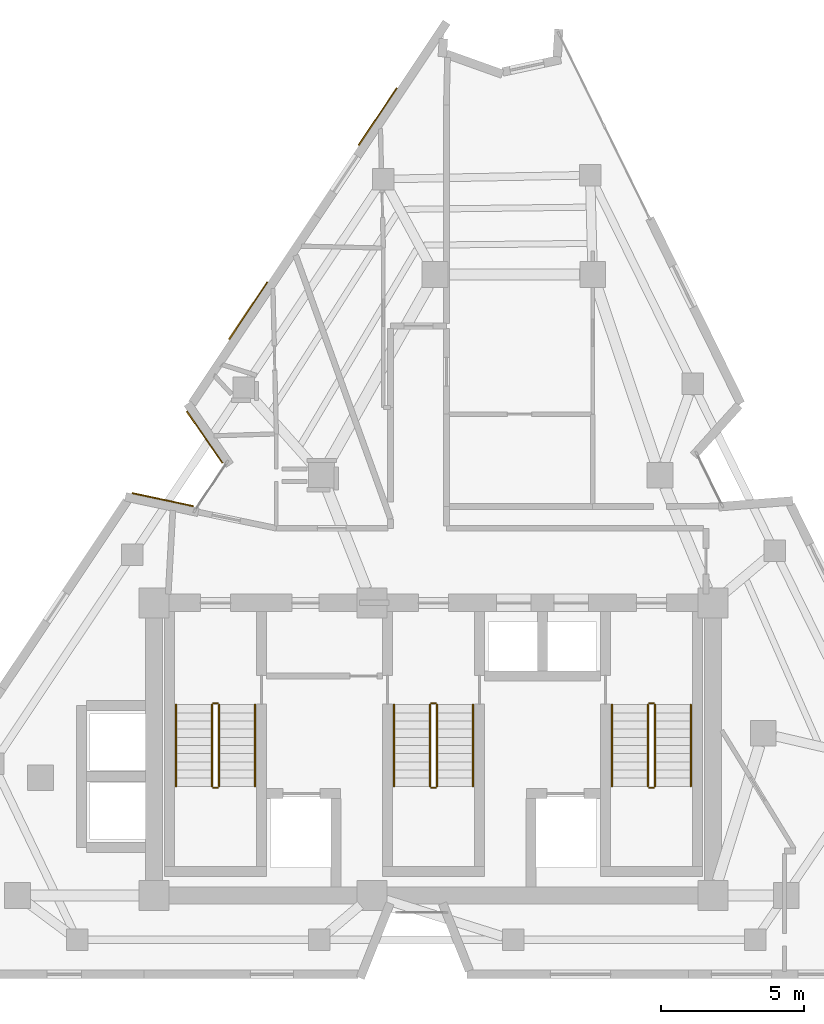
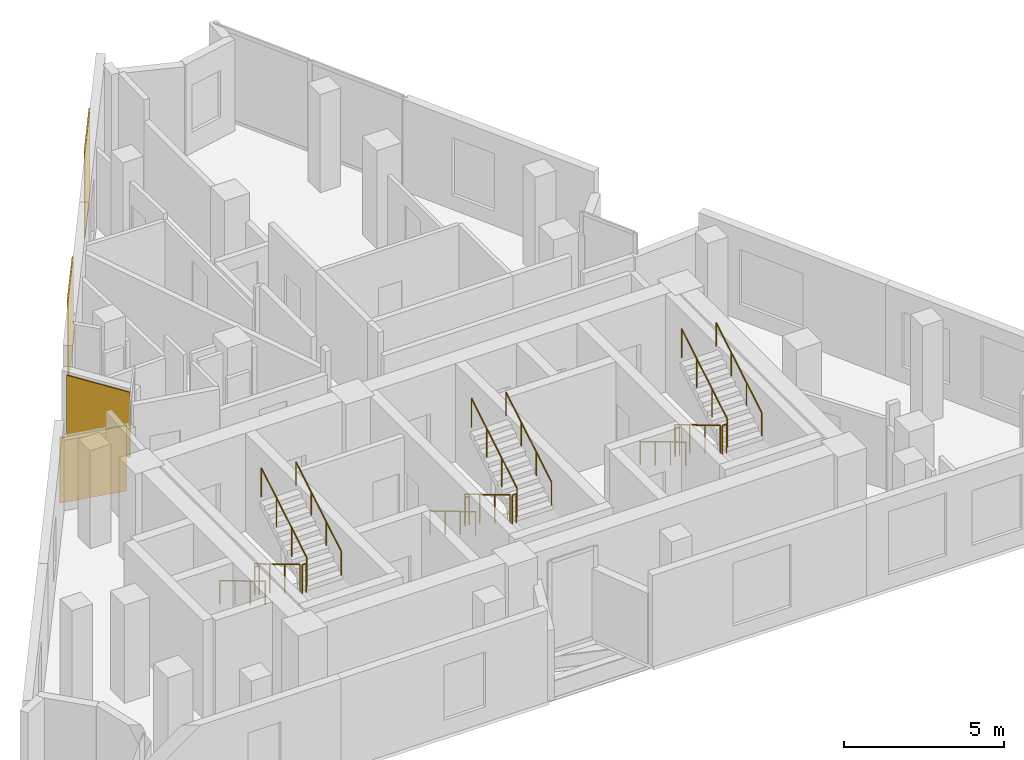
# One storey, part 10 of 10: 18 railings, 4 coverings.
"""IFC4 building model written with IfcOpenShell, lengths in metres."""

import ifcopenshell
import ifcopenshell.guid

model = None  # the IFC model being written
_history = None  # IfcOwnerHistory: only IFC2X3 demands one
_inside = {}  # id of a spatial element -> (the spatial element, [elements in it])
_under = {}  # id of a project, library or spatial element -> (it, [spatial elements below it])
_declared = {}  # id of a project -> (the project, [libraries it declares])
_typed = {}  # id of a type object -> (the type object, [elements of that type])
_made_of = {}  # id of a material, layer set ... -> (it, [elements and type objects made of it])


def new_model(schema):
    """Start an empty IFC model of exactly this schema.

    Asked for "IFC4X3", IfcOpenShell would pick the latest addendum, in which some entities
    have other attributes; the version numbers below select the first issue.
    IFC2X3 requires an IfcOwnerHistory on every rooted entity: one is made here for all.
    """
    global model, _history
    if schema == "IFC4X3":
        model = ifcopenshell.file(schema_version=(4, 3, 0, 0))
    else:
        model = ifcopenshell.file(schema=schema)
    _inside.clear()
    _under.clear()
    _declared.clear()
    _typed.clear()
    _made_of.clear()
    _history = None
    if model.schema == "IFC2X3":
        org = make("IfcOrganization", Name="unknown")
        user = make(
            "IfcPersonAndOrganization",
            ThePerson=make("IfcPerson", FamilyName="unknown"),
            TheOrganization=org,
        )
        app = make(
            "IfcApplication",
            ApplicationDeveloper=org,
            Version="unknown",
            ApplicationFullName="unknown",
            ApplicationIdentifier="unknown",
        )
        _history = make(
            "IfcOwnerHistory",
            OwningUser=user,
            OwningApplication=app,
            ChangeAction="ADDED",
            CreationDate=0,
        )
    return model


def make(cls, **values):
    """One entity of the class cls with the attributes given. An attribute that is None is left unset."""
    return model.create_entity(
        cls, **{name: value for name, value in values.items() if value is not None}
    )


def rooted(cls, **values):
    """An entity with a GlobalId (a new one), such as an element, a storey or a relation."""
    return make(cls, GlobalId=ifcopenshell.guid.new(), OwnerHistory=_history, **values)


def si_unit(unit_type, name, prefix=None):
    """IfcSIUnit, for example si_unit("LENGTHUNIT", "METRE", prefix="MILLI")."""
    return make("IfcSIUnit", UnitType=unit_type, Prefix=prefix, Name=name)


def assignment(units):
    """IfcUnitAssignment: the units of a project."""
    return None if units is None else make("IfcUnitAssignment", Units=units)


def point(xyz):
    """IfcCartesianPoint."""
    return None if xyz is None else make("IfcCartesianPoint", Coordinates=xyz)


def direction(xyz):
    """IfcDirection."""
    return None if xyz is None else make("IfcDirection", DirectionRatios=xyz)


def frame(location, z_axis=None, x_axis=None):
    """IfcAxis2Placement3D, a coordinate frame: its origin and axes. An axis left out is left unset."""
    return make(
        "IfcAxis2Placement3D",
        Location=point(location),
        Axis=direction(z_axis),
        RefDirection=direction(x_axis),
    )


def frame_2d(location, x_axis=None):
    """IfcAxis2Placement2D, a coordinate frame in the plane: its origin and x axis."""
    return make(
        "IfcAxis2Placement2D", Location=point(location), RefDirection=direction(x_axis)
    )


def origin():
    """The frame at (0, 0, 0) with its axes left unset."""
    return frame((0.0, 0.0, 0.0))


def origin_2d():
    """The frame at (0, 0) in the plane with its x axis left unset."""
    return frame_2d((0.0, 0.0))


def place(relative_to, where):
    """IfcLocalPlacement: puts the frame where relative to a parent placement (None: the world)."""
    return make(
        "IfcLocalPlacement", PlacementRelTo=relative_to, RelativePlacement=where
    )


def context(
    kind, dimensions, precision=None, world=None, true_north=None, identifier=None
):
    """IfcGeometricRepresentationContext, for example the 3D "Model" context."""
    return make(
        "IfcGeometricRepresentationContext",
        ContextIdentifier=identifier,
        ContextType=kind,
        CoordinateSpaceDimension=dimensions,
        Precision=precision,
        WorldCoordinateSystem=world,
        TrueNorth=true_north,
    )


def subcontext(parent, identifier, kind, view, scale=None):
    """IfcGeometricRepresentationSubContext, for example "Body" below "Model"."""
    return make(
        "IfcGeometricRepresentationSubContext",
        ContextIdentifier=identifier,
        ContextType=kind,
        ParentContext=parent,
        TargetScale=scale,
        TargetView=view,
    )


def project(units=None, contexts=None):
    """IfcProject with its units and contexts."""
    return rooted(
        "IfcProject",
        Name="project",
        RepresentationContexts=contexts,
        UnitsInContext=assignment(units),
    )


def spatial(cls, under=None, at=None, **own):
    """A site, building, storey or space (cls), placed at a placement, below another one or the project."""
    s = rooted(cls, ObjectPlacement=at, **own)
    if under is not None:
        _under.setdefault(under.id(), (under, []))[1].append(s)
    return s


def profile(cls, at=None, kind="AREA", **sizes):
    """A parametric profile (cls). Its sizes go by their IFC names, for example OverallWidth=200.0."""
    return make(cls, ProfileType=kind, Position=at, **sizes)


def rectangle(**sizes):
    """IfcRectangleProfileDef."""
    return profile("IfcRectangleProfileDef", **sizes)


def circle(**sizes):
    """IfcCircleProfileDef."""
    return profile("IfcCircleProfileDef", **sizes)


def extrude(swept, where, along, depth):
    """IfcExtrudedAreaSolid: the profile swept, set in the frame where, extruded along a direction by depth."""
    return make(
        "IfcExtrudedAreaSolid",
        SweptArea=swept,
        Position=where,
        ExtrudedDirection=direction(along),
        Depth=depth,
    )


def shape(context_of_items, identifier, shape_type, items):
    """IfcShapeRepresentation: the items that make up one representation, for example the "Body"."""
    return make(
        "IfcShapeRepresentation",
        ContextOfItems=context_of_items,
        RepresentationIdentifier=identifier,
        RepresentationType=shape_type,
        Items=items,
    )


def material(Name=None, Category=None):
    """IfcMaterial."""
    return make("IfcMaterial", Name=Name, Category=Category)


def layer(
    of_material, thickness, ventilated=None, Name=None, Category=None, Priority=None
):
    """IfcMaterialLayer: one layer of a wall or slab, of a material (None: an air gap)."""
    return make(
        "IfcMaterialLayer",
        Material=of_material,
        LayerThickness=thickness,
        IsVentilated=ventilated,
        Name=Name,
        Category=Category,
        Priority=Priority,
    )


def layer_set(layers, Name=None):
    """IfcMaterialLayerSet."""
    return make("IfcMaterialLayerSet", MaterialLayers=layers, LayerSetName=Name)


def made_of(thing, what):
    """Note that an element or type object is made of a material, layer set ...; save() writes the relation."""
    if what is not None:
        _made_of.setdefault(what.id(), (what, []))[1].append(thing)
    return thing


def type_object(cls, material=None, **own):
    """A type object (cls), such as IfcWallType, which elements share."""
    return made_of(rooted(cls, **own), material)


def element(
    cls,
    number,
    at=None,
    inside=None,
    cuts=None,
    type_object=None,
    material=None,
    context=None,
    identifier="Body",
    shape_type=None,
    held_by="IfcProductDefinitionShape",
    body=None,
    shapes=None,
    **own,
):
    """One element of the class cls, such as IfcWall. Its Tag is "e" and its number.

    at: its placement. inside: the storey or other place that contains it. cuts: it is an
    opening in that element (IfcRelVoidsElement). A single representation is given by context,
    identifier, shape_type and body (its items); several are given by shapes. held_by: the class
    of the entity that holds the representations. save() writes the other relations.
    """
    e = rooted(cls, Tag="e%d" % number, ObjectPlacement=at, **own)
    if body is not None:
        shapes = [shape(context, identifier, shape_type, body)]
    if shapes is not None:
        e.Representation = make(held_by, Representations=shapes)
    if inside is not None:
        _inside.setdefault(inside.id(), (inside, []))[1].append(e)
    if cuts is not None:
        rooted(
            "IfcRelVoidsElement", RelatingBuildingElement=cuts, RelatedOpeningElement=e
        )
    if type_object is not None:
        _typed.setdefault(type_object.id(), (type_object, []))[1].append(e)
    return made_of(e, material)


def aggregate(whole, parts):
    """IfcRelAggregates: a whole, such as a stair, and the parts it consists of."""
    return rooted("IfcRelAggregates", RelatingObject=whole, RelatedObjects=parts)


def save(model, path):
    """Write the relations noted so far, then the file.

    IfcRelAggregates (storeys below a building ...), IfcRelContainedInSpatialStructure (elements
    in a storey), IfcRelDefinesByType, IfcRelAssociatesMaterial and IfcRelDeclares: one each for
    every whole, place, type object, material and project.
    """
    for whole, parts in _under.values():
        aggregate(whole, parts)
    for where, things in _inside.values():
        rooted(
            "IfcRelContainedInSpatialStructure",
            RelatedElements=things,
            RelatingStructure=where,
        )
    for kind, things in _typed.values():
        rooted("IfcRelDefinesByType", RelatedObjects=things, RelatingType=kind)
    for what, things in _made_of.values():
        rooted("IfcRelAssociatesMaterial", RelatedObjects=things, RelatingMaterial=what)
    for by, libraries in _declared.values():
        rooted("IfcRelDeclares", RelatingContext=by, RelatedDefinitions=libraries)
    model.write(path)


model = new_model("IFC4")

# Units and contexts
model_context = context("Model", 3, precision=1e-05, world=origin(), true_north=direction((0.0, 1.0)))
body_context = subcontext(model_context, "Body", "Model", "MODEL_VIEW")
ifc_project = project(units=[si_unit("LENGTHUNIT", "METRE"), si_unit("AREAUNIT", "SQUARE_METRE"), si_unit("VOLUMEUNIT", "CUBIC_METRE"), si_unit("PLANEANGLEUNIT", "RADIAN"), si_unit("MASSUNIT", "GRAM", prefix="KILO")], contexts=[model_context])

# Site, building, storey
site_placement = place(None, origin())
site = spatial("IfcSite", under=ifc_project, at=site_placement, CompositionType="ELEMENT")
building_placement = place(site_placement, origin())
building = spatial("IfcBuilding", under=site, at=building_placement, Name="Almagre Mirador Tower", CompositionType="ELEMENT")
storey_placement = place(building_placement, frame((0.0, 0.0, 278.25)))
storey = spatial("IfcBuildingStorey", under=building, at=storey_placement, Name="L72", CompositionType="ELEMENT", Elevation=278.25)

# Coverings
ifc_material_1 = material(Name="Almagre terracotta architectural cladding", Category="masonry")
ifc_layer = layer(ifc_material_1, 0.044921875)
ifc_layer_set = layer_set([ifc_layer], Name="Almagre terracotta architectural cladding")
covering_type = type_object("IfcCoveringType", Name="COV-CLAD-ALMAGRE", PredefinedType="CLADDING", material=ifc_layer_set)
for number, where, z_axis, x_axis, name in (
    (1, (27.862548828125, 18.34716796875, 0.099853515625), (0.0, 0.0, 1.0), (0.977976720708, -0.208713999897, 0.0), "L72 almagre terracotta pier cladding"),
    (2, (29.319580078125, 20.529541015625, 0.099853515625), (0.0, 0.0, 1.0), (-0.567513271194, 0.823364249296, 0.0), "L72 almagre terracotta pier cladding"),
):
    element("IfcCovering", number, at=place(storey_placement, frame(where, z_axis=z_axis, x_axis=x_axis)), inside=storey, type_object=covering_type, Name=name, PredefinedType="CLADDING", context=body_context, shape_type="SweptSolid", body=[
        extrude(rectangle(XDim=2.194091796875, YDim=0.044921875, at=origin_2d()), origin(), (0.0, 0.0, 1.0), 2.49609375),
    ])
for number, where, z_axis, x_axis, name in (
    (3, (30.84130859375, 24.94091796875, 0.10009765625), (0.0, 0.0, 1.0), (0.555221899113, 0.831702256066, 0.0), "L72 almagre terracotta pier cladding"),
    (4, (35.35595703125, 31.70361328125, 0.10009765625), (0.0, 0.0, 1.0), (0.555221899113, 0.831702256066, 0.0), "L72 almagre terracotta pier cladding"),
):
    element("IfcCovering", number, at=place(storey_placement, frame(where, z_axis=z_axis, x_axis=x_axis)), inside=storey, type_object=covering_type, Name=name, PredefinedType="CLADDING", context=body_context, shape_type="SweptSolid", body=[
        extrude(rectangle(XDim=2.39990234375, YDim=0.044921875, at=origin_2d()), origin(), (0.0, 0.0, 1.0), 3.300048828125),
    ])

# Railings
ifc_material_2 = material(Name="Painted galvanized steel", Category="steel")
railing_type_1 = type_object("IfcRailingType", Name="RLG-GRD-1100", PredefinedType="GUARDRAIL", material=ifc_material_2)
railing_1_placement = place(storey_placement, frame((29.574951171875, 11.199951171875, 0.17041015625)))
element("IfcRailing", 5, at=railing_1_placement, inside=storey, type_object=railing_type_1, Name="L72 ST-1 stair guard 1", PredefinedType="GUARDRAIL", context=body_context, shape_type="SweptSolid", body=[
    extrude(circle(Radius=0.02392578125, at=origin_2d()), frame((0.0, 0.0, 1.09619140625), z_axis=(0.0, -0.858199205511, 0.513316786848), x_axis=(1.0, 0.0, 0.0)), (0.0, 0.0, 1.0), 3.32080078125),
    extrude(circle(Radius=0.02099609375, at=origin_2d()), origin(), (0.0, 0.0, 1.0), 1.072021484375),
    extrude(circle(Radius=0.02099609375, at=origin_2d()), frame((0.0, -0.949951171875, 0.568115234375)), (0.0, 0.0, 1.0), 1.072021484375),
    extrude(circle(Radius=0.02099609375, at=origin_2d()), frame((0.0, -1.89990234375, 1.136474609375)), (0.0, 0.0, 1.0), 1.072021484375),
    extrude(circle(Radius=0.02099609375, at=origin_2d()), frame((0.0, -2.849853515625, 1.70458984375)), (0.0, 0.0, 1.0), 1.072021484375),
])
railing_2_placement = place(storey_placement, frame((29.625, 8.300048828125, 1.875)))
element("IfcRailing", 6, at=railing_2_placement, inside=storey, type_object=railing_type_1, Name="L72 ST-1 stair guard 2", PredefinedType="GUARDRAIL", context=body_context, shape_type="SweptSolid", body=[
    extrude(circle(Radius=0.02392578125, at=origin_2d()), frame((0.0, 0.0, 1.09619140625), z_axis=(1.0, 0.0, 0.0), x_axis=(0.0, 1.0, 0.0)), (0.0, 0.0, 1.0), 0.14990234375),
    extrude(circle(Radius=0.02099609375, at=origin_2d()), origin(), (0.0, 0.0, 1.0), 1.072021484375),
    extrude(circle(Radius=0.02099609375, at=origin_2d()), frame((0.14990234375, 0.0, 0.0)), (0.0, 0.0, 1.0), 1.072021484375),
])
railing_3_placement = place(storey_placement, frame((29.824951171875, 8.35009765625, 2.04541015625)))
element("IfcRailing", 7, at=railing_3_placement, inside=storey, type_object=railing_type_1, Name="L72 ST-1 stair guard 3", PredefinedType="GUARDRAIL", context=body_context, shape_type="SweptSolid", body=[
    extrude(circle(Radius=0.02392578125, at=origin_2d()), frame((0.0, 0.0, 1.09619140625), z_axis=(0.0, 0.858199205511, 0.513316786848), x_axis=(-1.0, 0.0, 0.0)), (0.0, 0.0, 1.0), 3.32080078125),
    extrude(circle(Radius=0.02099609375, at=origin_2d()), origin(), (0.0, 0.0, 1.0), 1.072021484375),
    extrude(circle(Radius=0.02099609375, at=origin_2d()), frame((0.0, 0.949951171875, 0.568115234375)), (0.0, 0.0, 1.0), 1.072021484375),
    extrude(circle(Radius=0.02099609375, at=origin_2d()), frame((0.0, 1.89990234375, 1.136474609375)), (0.0, 0.0, 1.0), 1.072021484375),
    extrude(circle(Radius=0.02099609375, at=origin_2d()), frame((0.0, 2.849853515625, 1.70458984375)), (0.0, 0.0, 1.0), 1.072021484375),
])
railing_4_placement = place(storey_placement, frame((29.625, 11.25, 0.0)))
element("IfcRailing", 8, at=railing_4_placement, inside=storey, type_object=railing_type_1, Name="L72 ST-1 stair guard 4", PredefinedType="GUARDRAIL", context=body_context, shape_type="SweptSolid", body=[
    extrude(circle(Radius=0.02392578125, at=origin_2d()), frame((0.0, 0.0, 1.09619140625), z_axis=(1.0, 0.0, 0.0), x_axis=(0.0, 1.0, 0.0)), (0.0, 0.0, 1.0), 0.14990234375),
    extrude(circle(Radius=0.02099609375, at=origin_2d()), origin(), (0.0, 0.0, 1.0), 1.072021484375),
    extrude(circle(Radius=0.02099609375, at=origin_2d()), frame((0.14990234375, 0.0, 0.0)), (0.0, 0.0, 1.0), 1.072021484375),
])
railing_5_placement = place(storey_placement, frame((37.175048828125, 11.199951171875, 0.17041015625)))
element("IfcRailing", 9, at=railing_5_placement, inside=storey, type_object=railing_type_1, Name="L72 ST-2 stair guard 1", PredefinedType="GUARDRAIL", context=body_context, shape_type="SweptSolid", body=[
    extrude(circle(Radius=0.02392578125, at=origin_2d()), frame((0.0, 0.0, 1.09619140625), z_axis=(0.0, -0.858199205511, 0.513316786848), x_axis=(1.0, 0.0, 0.0)), (0.0, 0.0, 1.0), 3.32080078125),
    extrude(circle(Radius=0.02099609375, at=origin_2d()), origin(), (0.0, 0.0, 1.0), 1.072021484375),
    extrude(circle(Radius=0.02099609375, at=origin_2d()), frame((0.0, -0.949951171875, 0.568115234375)), (0.0, 0.0, 1.0), 1.072021484375),
    extrude(circle(Radius=0.02099609375, at=origin_2d()), frame((0.0, -1.89990234375, 1.136474609375)), (0.0, 0.0, 1.0), 1.072021484375),
    extrude(circle(Radius=0.02099609375, at=origin_2d()), frame((0.0, -2.849853515625, 1.70458984375)), (0.0, 0.0, 1.0), 1.072021484375),
])
railing_6_placement = place(storey_placement, frame((37.22509765625, 8.300048828125, 1.875)))
element("IfcRailing", 10, at=railing_6_placement, inside=storey, type_object=railing_type_1, Name="L72 ST-2 stair guard 2", PredefinedType="GUARDRAIL", context=body_context, shape_type="SweptSolid", body=[
    extrude(circle(Radius=0.02392578125, at=origin_2d()), frame((0.0, 0.0, 1.09619140625), z_axis=(1.0, 0.0, 0.0), x_axis=(0.0, 1.0, 0.0)), (0.0, 0.0, 1.0), 0.14990234375),
    extrude(circle(Radius=0.02099609375, at=origin_2d()), origin(), (0.0, 0.0, 1.0), 1.072021484375),
    extrude(circle(Radius=0.02099609375, at=origin_2d()), frame((0.14990234375, 0.0, 0.0)), (0.0, 0.0, 1.0), 1.072021484375),
])
railing_7_placement = place(storey_placement, frame((37.425048828125, 8.35009765625, 2.04541015625)))
element("IfcRailing", 11, at=railing_7_placement, inside=storey, type_object=railing_type_1, Name="L72 ST-2 stair guard 3", PredefinedType="GUARDRAIL", context=body_context, shape_type="SweptSolid", body=[
    extrude(circle(Radius=0.02392578125, at=origin_2d()), frame((0.0, 0.0, 1.09619140625), z_axis=(0.0, 0.858199205511, 0.513316786848), x_axis=(-1.0, 0.0, 0.0)), (0.0, 0.0, 1.0), 3.32080078125),
    extrude(circle(Radius=0.02099609375, at=origin_2d()), origin(), (0.0, 0.0, 1.0), 1.072021484375),
    extrude(circle(Radius=0.02099609375, at=origin_2d()), frame((0.0, 0.949951171875, 0.568115234375)), (0.0, 0.0, 1.0), 1.072021484375),
    extrude(circle(Radius=0.02099609375, at=origin_2d()), frame((0.0, 1.89990234375, 1.136474609375)), (0.0, 0.0, 1.0), 1.072021484375),
    extrude(circle(Radius=0.02099609375, at=origin_2d()), frame((0.0, 2.849853515625, 1.70458984375)), (0.0, 0.0, 1.0), 1.072021484375),
])
railing_8_placement = place(storey_placement, frame((37.22509765625, 11.25, 0.0)))
element("IfcRailing", 12, at=railing_8_placement, inside=storey, type_object=railing_type_1, Name="L72 ST-2 stair guard 4", PredefinedType="GUARDRAIL", context=body_context, shape_type="SweptSolid", body=[
    extrude(circle(Radius=0.02392578125, at=origin_2d()), frame((0.0, 0.0, 1.09619140625), z_axis=(1.0, 0.0, 0.0), x_axis=(0.0, 1.0, 0.0)), (0.0, 0.0, 1.0), 0.14990234375),
    extrude(circle(Radius=0.02099609375, at=origin_2d()), origin(), (0.0, 0.0, 1.0), 1.072021484375),
    extrude(circle(Radius=0.02099609375, at=origin_2d()), frame((0.14990234375, 0.0, 0.0)), (0.0, 0.0, 1.0), 1.072021484375),
])
railing_9_placement = place(storey_placement, frame((44.77490234375, 11.199951171875, 0.17041015625)))
element("IfcRailing", 13, at=railing_9_placement, inside=storey, type_object=railing_type_1, Name="L72 ST-3 stair guard 1", PredefinedType="GUARDRAIL", context=body_context, shape_type="SweptSolid", body=[
    extrude(circle(Radius=0.02392578125, at=origin_2d()), frame((0.0, 0.0, 1.09619140625), z_axis=(0.0, -0.858199205511, 0.513316786848), x_axis=(1.0, 0.0, 0.0)), (0.0, 0.0, 1.0), 3.32080078125),
    extrude(circle(Radius=0.02099609375, at=origin_2d()), origin(), (0.0, 0.0, 1.0), 1.072021484375),
    extrude(circle(Radius=0.02099609375, at=origin_2d()), frame((0.0, -0.949951171875, 0.568115234375)), (0.0, 0.0, 1.0), 1.072021484375),
    extrude(circle(Radius=0.02099609375, at=origin_2d()), frame((0.0, -1.89990234375, 1.136474609375)), (0.0, 0.0, 1.0), 1.072021484375),
    extrude(circle(Radius=0.02099609375, at=origin_2d()), frame((0.0, -2.849853515625, 1.70458984375)), (0.0, 0.0, 1.0), 1.072021484375),
])
railing_10_placement = place(storey_placement, frame((44.824951171875, 8.300048828125, 1.875)))
element("IfcRailing", 14, at=railing_10_placement, inside=storey, type_object=railing_type_1, Name="L72 ST-3 stair guard 2", PredefinedType="GUARDRAIL", context=body_context, shape_type="SweptSolid", body=[
    extrude(circle(Radius=0.02392578125, at=origin_2d()), frame((0.0, 0.0, 1.09619140625), z_axis=(1.0, 0.0, 0.0), x_axis=(0.0, 1.0, 0.0)), (0.0, 0.0, 1.0), 0.150146484375),
    extrude(circle(Radius=0.02099609375, at=origin_2d()), origin(), (0.0, 0.0, 1.0), 1.072021484375),
    extrude(circle(Radius=0.02099609375, at=origin_2d()), frame((0.150146484375, 0.0, 0.0)), (0.0, 0.0, 1.0), 1.072021484375),
])
railing_11_placement = place(storey_placement, frame((45.02490234375, 8.35009765625, 2.04541015625)))
element("IfcRailing", 15, at=railing_11_placement, inside=storey, type_object=railing_type_1, Name="L72 ST-3 stair guard 3", PredefinedType="GUARDRAIL", context=body_context, shape_type="SweptSolid", body=[
    extrude(circle(Radius=0.02392578125, at=origin_2d()), frame((0.0, 0.0, 1.09619140625), z_axis=(0.0, 0.858199205511, 0.513316786848), x_axis=(-1.0, 0.0, 0.0)), (0.0, 0.0, 1.0), 3.32080078125),
    extrude(circle(Radius=0.02099609375, at=origin_2d()), origin(), (0.0, 0.0, 1.0), 1.072021484375),
    extrude(circle(Radius=0.02099609375, at=origin_2d()), frame((0.0, 0.949951171875, 0.568115234375)), (0.0, 0.0, 1.0), 1.072021484375),
    extrude(circle(Radius=0.02099609375, at=origin_2d()), frame((0.0, 1.89990234375, 1.136474609375)), (0.0, 0.0, 1.0), 1.072021484375),
    extrude(circle(Radius=0.02099609375, at=origin_2d()), frame((0.0, 2.849853515625, 1.70458984375)), (0.0, 0.0, 1.0), 1.072021484375),
])
railing_12_placement = place(storey_placement, frame((44.824951171875, 11.25, 0.0)))
element("IfcRailing", 16, at=railing_12_placement, inside=storey, type_object=railing_type_1, Name="L72 ST-3 stair guard 4", PredefinedType="GUARDRAIL", context=body_context, shape_type="SweptSolid", body=[
    extrude(circle(Radius=0.02392578125, at=origin_2d()), frame((0.0, 0.0, 1.09619140625), z_axis=(1.0, 0.0, 0.0), x_axis=(0.0, 1.0, 0.0)), (0.0, 0.0, 1.0), 0.150146484375),
    extrude(circle(Radius=0.02099609375, at=origin_2d()), origin(), (0.0, 0.0, 1.0), 1.072021484375),
    extrude(circle(Radius=0.02099609375, at=origin_2d()), frame((0.150146484375, 0.0, 0.0)), (0.0, 0.0, 1.0), 1.072021484375),
])
ifc_material_3 = material(Name="Brushed stainless steel", Category="steel")
railing_type_2 = type_object("IfcRailingType", Name="RLG-HND-915", PredefinedType="HANDRAIL", material=ifc_material_3)
railing_13_placement = place(storey_placement, frame((28.324951171875, 11.199951171875, 0.17041015625)))
element("IfcRailing", 17, at=railing_13_placement, inside=storey, type_object=railing_type_2, Name="L72 ST-1 stair handrail 1", PredefinedType="HANDRAIL", context=body_context, shape_type="SweptSolid", body=[
    extrude(circle(Radius=0.02392578125, at=origin_2d()), frame((0.0, 0.0, 0.89111328125), z_axis=(0.0, -0.858199205511, 0.513316786848), x_axis=(1.0, 0.0, 0.0)), (0.0, 0.0, 1.0), 3.32080078125),
    extrude(circle(Radius=0.02099609375, at=origin_2d()), origin(), (0.0, 0.0, 1.0), 0.866943359375),
    extrude(circle(Radius=0.02099609375, at=origin_2d()), frame((0.0, -0.949951171875, 0.568115234375)), (0.0, 0.0, 1.0), 0.866943359375),
    extrude(circle(Radius=0.02099609375, at=origin_2d()), frame((0.0, -1.89990234375, 1.136474609375)), (0.0, 0.0, 1.0), 0.866943359375),
    extrude(circle(Radius=0.02099609375, at=origin_2d()), frame((0.0, -2.849853515625, 1.70458984375)), (0.0, 0.0, 1.0), 0.866943359375),
])
railing_14_placement = place(storey_placement, frame((31.074951171875, 8.35009765625, 2.04541015625)))
element("IfcRailing", 18, at=railing_14_placement, inside=storey, type_object=railing_type_2, Name="L72 ST-1 stair handrail 2", PredefinedType="HANDRAIL", context=body_context, shape_type="SweptSolid", body=[
    extrude(circle(Radius=0.02392578125, at=origin_2d()), frame((0.0, 0.0, 0.89111328125), z_axis=(0.0, 0.858199205511, 0.513316786848), x_axis=(-1.0, 0.0, 0.0)), (0.0, 0.0, 1.0), 3.32080078125),
    extrude(circle(Radius=0.02099609375, at=origin_2d()), origin(), (0.0, 0.0, 1.0), 0.866943359375),
    extrude(circle(Radius=0.02099609375, at=origin_2d()), frame((0.0, 0.949951171875, 0.568115234375)), (0.0, 0.0, 1.0), 0.866943359375),
    extrude(circle(Radius=0.02099609375, at=origin_2d()), frame((0.0, 1.89990234375, 1.136474609375)), (0.0, 0.0, 1.0), 0.866943359375),
    extrude(circle(Radius=0.02099609375, at=origin_2d()), frame((0.0, 2.849853515625, 1.70458984375)), (0.0, 0.0, 1.0), 0.866943359375),
])
railing_15_placement = place(storey_placement, frame((35.925048828125, 11.199951171875, 0.17041015625)))
element("IfcRailing", 19, at=railing_15_placement, inside=storey, type_object=railing_type_2, Name="L72 ST-2 stair handrail 1", PredefinedType="HANDRAIL", context=body_context, shape_type="SweptSolid", body=[
    extrude(circle(Radius=0.02392578125, at=origin_2d()), frame((0.0, 0.0, 0.89111328125), z_axis=(0.0, -0.858199205511, 0.513316786848), x_axis=(1.0, 0.0, 0.0)), (0.0, 0.0, 1.0), 3.32080078125),
    extrude(circle(Radius=0.02099609375, at=origin_2d()), origin(), (0.0, 0.0, 1.0), 0.866943359375),
    extrude(circle(Radius=0.02099609375, at=origin_2d()), frame((0.0, -0.949951171875, 0.568115234375)), (0.0, 0.0, 1.0), 0.866943359375),
    extrude(circle(Radius=0.02099609375, at=origin_2d()), frame((0.0, -1.89990234375, 1.136474609375)), (0.0, 0.0, 1.0), 0.866943359375),
    extrude(circle(Radius=0.02099609375, at=origin_2d()), frame((0.0, -2.849853515625, 1.70458984375)), (0.0, 0.0, 1.0), 0.866943359375),
])
railing_16_placement = place(storey_placement, frame((38.675048828125, 8.35009765625, 2.04541015625)))
element("IfcRailing", 20, at=railing_16_placement, inside=storey, type_object=railing_type_2, Name="L72 ST-2 stair handrail 2", PredefinedType="HANDRAIL", context=body_context, shape_type="SweptSolid", body=[
    extrude(circle(Radius=0.02392578125, at=origin_2d()), frame((0.0, 0.0, 0.89111328125), z_axis=(0.0, 0.858199205511, 0.513316786848), x_axis=(-1.0, 0.0, 0.0)), (0.0, 0.0, 1.0), 3.32080078125),
    extrude(circle(Radius=0.02099609375, at=origin_2d()), origin(), (0.0, 0.0, 1.0), 0.866943359375),
    extrude(circle(Radius=0.02099609375, at=origin_2d()), frame((0.0, 0.949951171875, 0.568115234375)), (0.0, 0.0, 1.0), 0.866943359375),
    extrude(circle(Radius=0.02099609375, at=origin_2d()), frame((0.0, 1.89990234375, 1.136474609375)), (0.0, 0.0, 1.0), 0.866943359375),
    extrude(circle(Radius=0.02099609375, at=origin_2d()), frame((0.0, 2.849853515625, 1.70458984375)), (0.0, 0.0, 1.0), 0.866943359375),
])
railing_17_placement = place(storey_placement, frame((43.52490234375, 11.199951171875, 0.17041015625)))
element("IfcRailing", 21, at=railing_17_placement, inside=storey, type_object=railing_type_2, Name="L72 ST-3 stair handrail 1", PredefinedType="HANDRAIL", context=body_context, shape_type="SweptSolid", body=[
    extrude(circle(Radius=0.02392578125, at=origin_2d()), frame((0.0, 0.0, 0.89111328125), z_axis=(0.0, -0.858199205511, 0.513316786848), x_axis=(1.0, 0.0, 0.0)), (0.0, 0.0, 1.0), 3.32080078125),
    extrude(circle(Radius=0.02099609375, at=origin_2d()), origin(), (0.0, 0.0, 1.0), 0.866943359375),
    extrude(circle(Radius=0.02099609375, at=origin_2d()), frame((0.0, -0.949951171875, 0.568115234375)), (0.0, 0.0, 1.0), 0.866943359375),
    extrude(circle(Radius=0.02099609375, at=origin_2d()), frame((0.0, -1.89990234375, 1.136474609375)), (0.0, 0.0, 1.0), 0.866943359375),
    extrude(circle(Radius=0.02099609375, at=origin_2d()), frame((0.0, -2.849853515625, 1.70458984375)), (0.0, 0.0, 1.0), 0.866943359375),
])
railing_18_placement = place(storey_placement, frame((46.27490234375, 8.35009765625, 2.04541015625)))
element("IfcRailing", 22, at=railing_18_placement, inside=storey, type_object=railing_type_2, Name="L72 ST-3 stair handrail 2", PredefinedType="HANDRAIL", context=body_context, shape_type="SweptSolid", body=[
    extrude(circle(Radius=0.02392578125, at=origin_2d()), frame((0.0, 0.0, 0.89111328125), z_axis=(0.0, 0.858199205511, 0.513316786848), x_axis=(-1.0, 0.0, 0.0)), (0.0, 0.0, 1.0), 3.32080078125),
    extrude(circle(Radius=0.02099609375, at=origin_2d()), origin(), (0.0, 0.0, 1.0), 0.866943359375),
    extrude(circle(Radius=0.02099609375, at=origin_2d()), frame((0.0, 0.949951171875, 0.568115234375)), (0.0, 0.0, 1.0), 0.866943359375),
    extrude(circle(Radius=0.02099609375, at=origin_2d()), frame((0.0, 1.89990234375, 1.136474609375)), (0.0, 0.0, 1.0), 0.866943359375),
    extrude(circle(Radius=0.02099609375, at=origin_2d()), frame((0.0, 2.849853515625, 1.70458984375)), (0.0, 0.0, 1.0), 0.866943359375),
])

save(model, "model.ifc")
